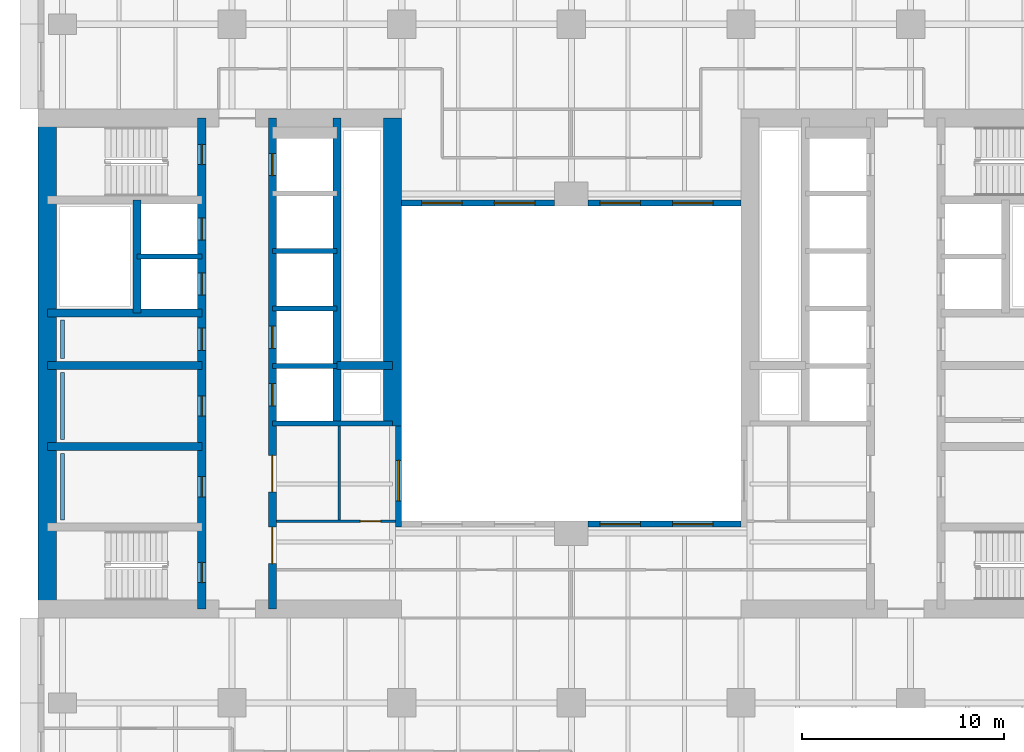
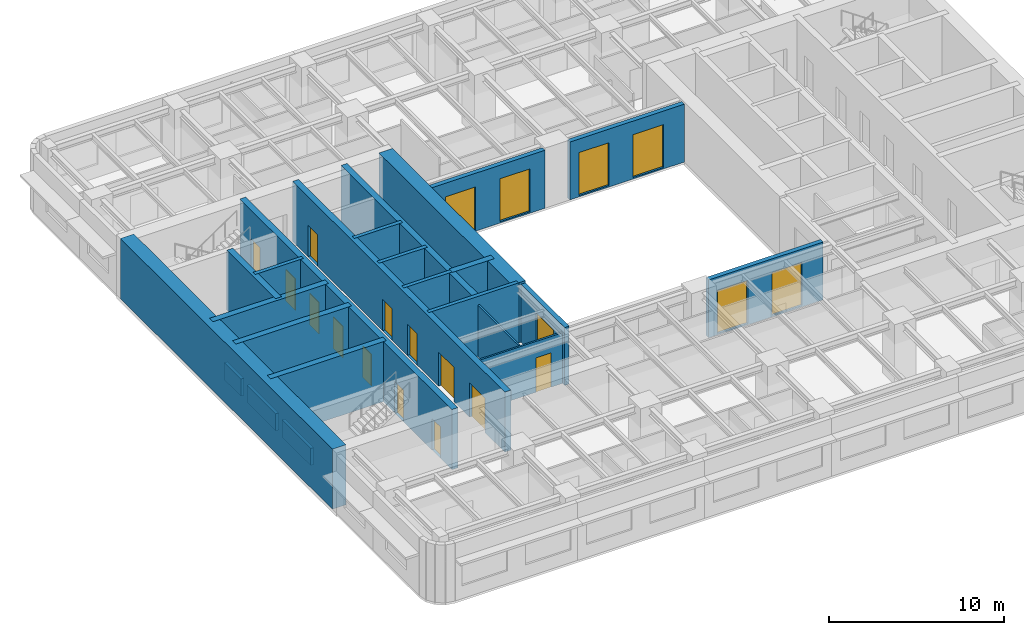
# One storey, part 4 of 11: 24 walls, 13 doors, 7 windows, 20 openings.
"""IFC4 building model written with IfcOpenShell, lengths in metres."""

from ifc_helpers import new_model, si_unit, direction, frame, frame_2d, origin, place, context, subcontext, project, spatial, rectangle, extrude, material, layer, layer_set, type_object, element, fill, save


model = new_model("IFC4")

# Units and contexts
model_context = context("Model", 3, precision=1e-05, world=origin(), true_north=direction((0.0, 1.0)))
body_context = subcontext(model_context, "Body", "Model", "MODEL_VIEW")
ifc_project = project(units=[si_unit("LENGTHUNIT", "METRE"), si_unit("AREAUNIT", "SQUARE_METRE"), si_unit("VOLUMEUNIT", "CUBIC_METRE"), si_unit("PLANEANGLEUNIT", "RADIAN"), si_unit("MASSUNIT", "GRAM", prefix="KILO")], contexts=[model_context])

# Site, building, storey
site_placement = place(None, origin())
site = spatial("IfcSite", under=ifc_project, at=site_placement, CompositionType="ELEMENT")
building_placement = place(site_placement, origin())
building = spatial("IfcBuilding", under=site, at=building_placement, Name="Claustro Exchange Tower", CompositionType="ELEMENT")
storey_placement = place(building_placement, frame((0.0, 0.0, 117.60009765625)))
storey = spatial("IfcBuildingStorey", under=building, at=storey_placement, Name="L26", CompositionType="ELEMENT", Elevation=117.60009765625)

# Wall, opening, door
ifc_material_1 = material(Name="Laminated glass in aluminium frame", Category="aluminium")
ifc_layer_1 = layer(ifc_material_1, 0.1201171875)
ifc_layer_set_1 = layer_set([ifc_layer_1], Name="Laminated glass in aluminium frame")
wall_type_1 = type_object("IfcWallType", Name="P2 120 glazed partition", PredefinedType="PARTITIONING", material=ifc_layer_set_1)
wall_1_placement = place(storey_placement, frame((10.597900390625, 17.39990234375, 0.0), z_axis=(0.0, 0.0, 1.0), x_axis=(1.0, 0.0, 0.0)))
wall_1 = element("IfcWall", 1, at=wall_1_placement, inside=storey, type_object=wall_type_1, Name="Partition P2 L26", PredefinedType="PARTITIONING", context=body_context, shape_type="SweptSolid", body=[
    extrude(rectangle(XDim=5.904052734375, YDim=0.1201171875, at=frame_2d((2.9521484375, 0.0))), origin(), (0.0, 0.0, 1.0), 3.5498046875),
])
opening_1_placement = place(wall_1_placement, frame((4.152099609375, 0.0, 0.0)))
opening_1 = element("IfcOpeningElement", 2, at=opening_1_placement, cuts=wall_1, Name="Opening D7", PredefinedType="OPENING", context=body_context, shape_type="SweptSolid", body=[
    extrude(rectangle(XDim=1.0, YDim=2.39990234375, at=frame_2d((0.5, 1.199951171875))), frame((0.0, 0.070068359375, 0.0), z_axis=(0.0, -1.0, 0.0), x_axis=(1.0, 0.0, 0.0)), (0.0, 0.0, 1.0), 0.14013671875),
])
ifc_material_2 = material(Name="Glass door in aluminium frame", Category="aluminium")
door_type_1 = type_object("IfcDoorType", Name="D7 1000 x 2400 glazed door", OperationType="SINGLE_SWING_LEFT", PredefinedType="DOOR", material=ifc_material_2)
door_1_placement = place(opening_1_placement, origin())
door_1 = element("IfcDoor", 3, at=door_1_placement, inside=storey, type_object=door_type_1, Name="Door D7 L26", OperationType="SINGLE_SWING_RIGHT", OverallHeight=2.39990234375, OverallWidth=1.0, PredefinedType="DOOR", context=body_context, shape_type="SweptSolid", body=[
    extrude(rectangle(XDim=1.0, YDim=2.39990234375, at=frame_2d((0.5, 1.199951171875))), frame((0.0, 0.02490234375, 0.0), z_axis=(0.0, -1.0, 0.0), x_axis=(1.0, 0.0, 0.0)), (0.0, 0.0, 1.0), 0.050048828125),
])
fill(opening_1, door_1)

# Wall
wall_2_placement = place(storey_placement, frame((13.699951171875, 17.4580078125, 0.0), z_axis=(0.0, 0.0, 1.0), x_axis=(0.0, 1.0, 0.0)))
element("IfcWall", 4, at=wall_2_placement, inside=storey, type_object=wall_type_1, Name="Partition P2 L26", PredefinedType="PARTITIONING", context=body_context, shape_type="SweptSolid", body=[
    extrude(rectangle(XDim=4.64404296875, YDim=0.1201171875, at=frame_2d((2.322021484375, 0.0))), origin(), (0.0, 0.0, 1.0), 3.599853515625),
])

# Wall, opening, window
ifc_material_3 = material(Name="Concrete HA-40 (C40/50), precast, white cement, acid-etched", Category="concrete")
ifc_layer_2 = layer(ifc_material_3, 0.300048828125)
ifc_layer_set_2 = layer_set([ifc_layer_2], Name="Concrete HA-40 (C40/50), precast, white cement, acid-etched")
wall_type_2 = type_object("IfcWallType", Name="PC1 300 precast concrete pier panel", PredefinedType="SOLIDWALL", material=ifc_layer_set_2)
wall_3_placement = place(storey_placement, frame((16.64990234375, 17.10009765625, 0.0), z_axis=(0.0, 0.0, 1.0), x_axis=(0.0, 1.0, 0.0)))
wall_3 = element("IfcWall", 5, at=wall_3_placement, inside=storey, type_object=wall_type_2, Name="Precast pier panel PC1 L26", PredefinedType="SOLIDWALL", context=body_context, shape_type="SweptSolid", body=[
    extrude(rectangle(XDim=5.0, YDim=0.300048828125, at=frame_2d((2.5, 0.0))), origin(), (0.0, 0.0, 1.0), 4.0498046875),
])
opening_2_placement = place(wall_3_placement, frame((1.300048828125, 0.0, 0.10009765625)))
opening_2 = element("IfcOpeningElement", 6, at=opening_2_placement, cuts=wall_3, Name="Opening W-A", PredefinedType="OPENING", context=body_context, shape_type="SweptSolid", body=[
    extrude(rectangle(XDim=2.0, YDim=3.0, at=frame_2d((1.0, 1.5))), frame((0.0, 0.159912109375, 0.0), z_axis=(0.0, -1.0, 0.0), x_axis=(1.0, 0.0, 0.0)), (0.0, 0.0, 1.0), 0.320068359375),
])
ifc_material_4 = material(Name="Aluminium frame, clear double glazing", Category="aluminium")
window_type = type_object("IfcWindowType", Name="W-A 2000 x 3000 arcade window", PartitioningType="SINGLE_PANEL", PredefinedType="WINDOW", material=ifc_material_4)
window_1_placement = place(opening_2_placement, origin())
window_1 = element("IfcWindow", 7, at=window_1_placement, inside=storey, type_object=window_type, Name="Window W-A L26", OverallHeight=3.0, OverallWidth=2.0, PartitioningType="SINGLE_PANEL", PredefinedType="WINDOW", context=body_context, shape_type="SweptSolid", body=[
    extrude(rectangle(XDim=2.0, YDim=3.0, at=frame_2d((1.0, 1.5))), frame((0.0, 0.030029296875, 0.0), z_axis=(0.0, -1.0, 0.0), x_axis=(1.0, 0.0, 0.0)), (0.0, 0.0, 1.0), 0.06005859375),
])
fill(opening_2, window_1)

# Wall, openings, windows
wall_4_placement = place(storey_placement, frame((26.02490234375, 17.25, 0.0), z_axis=(0.0, 0.0, 1.0), x_axis=(1.0, 0.0, 0.0)))
wall_4 = element("IfcWall", 8, at=wall_4_placement, inside=storey, type_object=wall_type_2, Name="Precast pier panel PC1 L26", PredefinedType="SOLIDWALL", context=body_context, shape_type="SweptSolid", body=[
    extrude(rectangle(XDim=7.5751953125, YDim=0.300048828125, at=frame_2d((3.78759765625, 0.0))), origin(), (0.0, 0.0, 1.0), 4.0498046875),
])
opening_3_placement = place(wall_4_placement, frame((0.58740234375, 0.0, 0.10009765625)))
opening_3 = element("IfcOpeningElement", 9, at=opening_3_placement, cuts=wall_4, Name="Opening W-A", PredefinedType="OPENING", context=body_context, shape_type="SweptSolid", body=[
    extrude(rectangle(XDim=2.0, YDim=3.0, at=frame_2d((1.0, 1.5))), frame((0.0, 0.159912109375, 0.0), z_axis=(0.0, -1.0, 0.0), x_axis=(1.0, 0.0, 0.0)), (0.0, 0.0, 1.0), 0.320068359375),
])
opening_4_placement = place(wall_4_placement, frame((4.1875, 0.0, 0.10009765625)))
opening_4 = element("IfcOpeningElement", 10, at=opening_4_placement, cuts=wall_4, Name="Opening W-A", PredefinedType="OPENING", context=body_context, shape_type="SweptSolid", body=[
    extrude(rectangle(XDim=2.0, YDim=3.0, at=frame_2d((1.0, 1.5))), frame((0.0, 0.159912109375, 0.0), z_axis=(0.0, -1.0, 0.0), x_axis=(1.0, 0.0, 0.0)), (0.0, 0.0, 1.0), 0.320068359375),
])
window_2_placement = place(opening_3_placement, origin())
window_2 = element("IfcWindow", 11, at=window_2_placement, inside=storey, type_object=window_type, Name="Window W-A L26", OverallHeight=3.0, OverallWidth=2.0, PartitioningType="SINGLE_PANEL", PredefinedType="WINDOW", context=body_context, shape_type="SweptSolid", body=[
    extrude(rectangle(XDim=2.0, YDim=3.0, at=frame_2d((1.0, 1.5))), frame((0.0, 0.030029296875, 0.0), z_axis=(0.0, -1.0, 0.0), x_axis=(1.0, 0.0, 0.0)), (0.0, 0.0, 1.0), 0.06005859375),
])
fill(opening_3, window_2)
window_3_placement = place(opening_4_placement, origin())
window_3 = element("IfcWindow", 12, at=window_3_placement, inside=storey, type_object=window_type, Name="Window W-A L26", OverallHeight=3.0, OverallWidth=2.0, PartitioningType="SINGLE_PANEL", PredefinedType="WINDOW", context=body_context, shape_type="SweptSolid", body=[
    extrude(rectangle(XDim=2.0, YDim=3.0, at=frame_2d((1.0, 1.5))), frame((0.0, 0.030029296875, 0.0), z_axis=(0.0, -1.0, 0.0), x_axis=(1.0, 0.0, 0.0)), (0.0, 0.0, 1.0), 0.06005859375),
])
fill(opening_4, window_3)

wall_5_placement = place(storey_placement, frame((16.800048828125, 33.14990234375, 0.0), z_axis=(0.0, 0.0, 1.0), x_axis=(1.0, 0.0, 0.0)))
wall_5 = element("IfcWall", 13, at=wall_5_placement, inside=storey, type_object=wall_type_2, Name="Precast pier panel PC1 L26", PredefinedType="SOLIDWALL", context=body_context, shape_type="SweptSolid", body=[
    extrude(rectangle(XDim=7.574951171875, YDim=0.300048828125, at=frame_2d((3.78759765625, 0.0))), origin(), (0.0, 0.0, 1.0), 4.0498046875),
])
opening_5_placement = place(wall_5_placement, frame((0.987548828125, 0.0, 0.10009765625)))
opening_5 = element("IfcOpeningElement", 14, at=opening_5_placement, cuts=wall_5, Name="Opening W-A", PredefinedType="OPENING", context=body_context, shape_type="SweptSolid", body=[
    extrude(rectangle(XDim=2.0, YDim=3.0, at=frame_2d((1.0, 1.5))), frame((0.0, 0.159912109375, 0.0), z_axis=(0.0, -1.0, 0.0), x_axis=(1.0, 0.0, 0.0)), (0.0, 0.0, 1.0), 0.320068359375),
])
opening_6_placement = place(wall_5_placement, frame((4.58740234375, 0.0, 0.10009765625)))
opening_6 = element("IfcOpeningElement", 15, at=opening_6_placement, cuts=wall_5, Name="Opening W-A", PredefinedType="OPENING", context=body_context, shape_type="SweptSolid", body=[
    extrude(rectangle(XDim=2.0, YDim=3.0, at=frame_2d((1.0, 1.5))), frame((0.0, 0.159912109375, 0.0), z_axis=(0.0, -1.0, 0.0), x_axis=(1.0, 0.0, 0.0)), (0.0, 0.0, 1.0), 0.320068359375),
])
window_4_placement = place(opening_5_placement, origin())
window_4 = element("IfcWindow", 16, at=window_4_placement, inside=storey, type_object=window_type, Name="Window W-A L26", OverallHeight=3.0, OverallWidth=2.0, PartitioningType="SINGLE_PANEL", PredefinedType="WINDOW", context=body_context, shape_type="SweptSolid", body=[
    extrude(rectangle(XDim=2.0, YDim=3.0, at=frame_2d((1.0, 1.5))), frame((0.0, 0.030029296875, 0.0), z_axis=(0.0, -1.0, 0.0), x_axis=(1.0, 0.0, 0.0)), (0.0, 0.0, 1.0), 0.06005859375),
])
fill(opening_5, window_4)
window_5_placement = place(opening_6_placement, origin())
window_5 = element("IfcWindow", 17, at=window_5_placement, inside=storey, type_object=window_type, Name="Window W-A L26", OverallHeight=3.0, OverallWidth=2.0, PartitioningType="SINGLE_PANEL", PredefinedType="WINDOW", context=body_context, shape_type="SweptSolid", body=[
    extrude(rectangle(XDim=2.0, YDim=3.0, at=frame_2d((1.0, 1.5))), frame((0.0, 0.030029296875, 0.0), z_axis=(0.0, -1.0, 0.0), x_axis=(1.0, 0.0, 0.0)), (0.0, 0.0, 1.0), 0.06005859375),
])
fill(opening_6, window_5)

wall_6_placement = place(storey_placement, frame((26.02490234375, 33.14990234375, 0.0), z_axis=(0.0, 0.0, 1.0), x_axis=(1.0, 0.0, 0.0)))
wall_6 = element("IfcWall", 18, at=wall_6_placement, inside=storey, type_object=wall_type_2, Name="Precast pier panel PC1 L26", PredefinedType="SOLIDWALL", context=body_context, shape_type="SweptSolid", body=[
    extrude(rectangle(XDim=7.5751953125, YDim=0.300048828125, at=frame_2d((3.78759765625, 0.0))), origin(), (0.0, 0.0, 1.0), 4.0498046875),
])
opening_7_placement = place(wall_6_placement, frame((0.58740234375, 0.0, 0.10009765625)))
opening_7 = element("IfcOpeningElement", 19, at=opening_7_placement, cuts=wall_6, Name="Opening W-A", PredefinedType="OPENING", context=body_context, shape_type="SweptSolid", body=[
    extrude(rectangle(XDim=2.0, YDim=3.0, at=frame_2d((1.0, 1.5))), frame((0.0, 0.159912109375, 0.0), z_axis=(0.0, -1.0, 0.0), x_axis=(1.0, 0.0, 0.0)), (0.0, 0.0, 1.0), 0.320068359375),
])
opening_8_placement = place(wall_6_placement, frame((4.1875, 0.0, 0.10009765625)))
opening_8 = element("IfcOpeningElement", 20, at=opening_8_placement, cuts=wall_6, Name="Opening W-A", PredefinedType="OPENING", context=body_context, shape_type="SweptSolid", body=[
    extrude(rectangle(XDim=2.0, YDim=3.0, at=frame_2d((1.0, 1.5))), frame((0.0, 0.159912109375, 0.0), z_axis=(0.0, -1.0, 0.0), x_axis=(1.0, 0.0, 0.0)), (0.0, 0.0, 1.0), 0.320068359375),
])
window_6_placement = place(opening_7_placement, origin())
window_6 = element("IfcWindow", 21, at=window_6_placement, inside=storey, type_object=window_type, Name="Window W-A L26", OverallHeight=3.0, OverallWidth=2.0, PartitioningType="SINGLE_PANEL", PredefinedType="WINDOW", context=body_context, shape_type="SweptSolid", body=[
    extrude(rectangle(XDim=2.0, YDim=3.0, at=frame_2d((1.0, 1.5))), frame((0.0, 0.030029296875, 0.0), z_axis=(0.0, -1.0, 0.0), x_axis=(1.0, 0.0, 0.0)), (0.0, 0.0, 1.0), 0.06005859375),
])
fill(opening_7, window_6)
window_7_placement = place(opening_8_placement, origin())
window_7 = element("IfcWindow", 22, at=window_7_placement, inside=storey, type_object=window_type, Name="Window W-A L26", OverallHeight=3.0, OverallWidth=2.0, PartitioningType="SINGLE_PANEL", PredefinedType="WINDOW", context=body_context, shape_type="SweptSolid", body=[
    extrude(rectangle(XDim=2.0, YDim=3.0, at=frame_2d((1.0, 1.5))), frame((0.0, 0.030029296875, 0.0), z_axis=(0.0, -1.0, 0.0), x_axis=(1.0, 0.0, 0.0)), (0.0, 0.0, 1.0), 0.06005859375),
])
fill(opening_8, window_7)

# Walls
ifc_material_5 = material(Name="Gypsum board on steel studs, tiled", Category="steel")
ifc_layer_3 = layer(ifc_material_5, 0.199951171875)
ifc_layer_set_3 = layer_set([ifc_layer_3], Name="Gypsum board on steel studs, tiled")
wall_type_3 = type_object("IfcWallType", Name="PW1 200 WC duct wall", PredefinedType="PLUMBINGWALL", material=ifc_layer_set_3)
for number, where, z_axis, x_axis, name in (
    (23, (0.0, 17.449951171875, 0.0), (0.0, 0.0, 1.0), (0.0, 1.0, 0.0), "WC duct wall PW1 L26"),
    (24, (0.0, 21.449951171875, 0.0), (0.0, 0.0, 1.0), (0.0, 1.0, 0.0), "WC duct wall PW1 L26"),
):
    element("IfcWall", number, at=place(storey_placement, frame(where, z_axis=z_axis, x_axis=x_axis)), inside=storey, type_object=wall_type_3, Name=name, PredefinedType="PLUMBINGWALL", context=body_context, shape_type="SweptSolid", body=[
        extrude(rectangle(XDim=3.300048828125, YDim=0.199951171875, at=frame_2d((1.64990234375, 0.0))), origin(), (0.0, 0.0, 1.0), 1.199951171875),
    ])
wall_7_placement = place(storey_placement, frame((0.0, 25.449951171875, 0.0), z_axis=(0.0, 0.0, 1.0), x_axis=(0.0, 1.0, 0.0)))
element("IfcWall", 25, at=wall_7_placement, inside=storey, type_object=wall_type_3, Name="WC duct wall PW1 L26", PredefinedType="PLUMBINGWALL", context=body_context, shape_type="SweptSolid", body=[
    extrude(rectangle(XDim=1.900146484375, YDim=0.199951171875, at=frame_2d((0.9501953125, 0.0))), origin(), (0.0, 0.0, 1.0), 1.199951171875),
])
ifc_material_6 = material(Name="Concrete HA-70 (C70/85)", Category="concrete")
ifc_layer_4 = layer(ifc_material_6, 0.89990234375)
ifc_layer_set_4 = layer_set([ifc_layer_4], Name="Concrete HA-70 (C70/85)")
wall_type_4 = type_object("IfcWallType", Name="SW1X 900 exposed core shear wall, board-marked face", PredefinedType="SHEAR", material=ifc_layer_set_4)
wall_8_placement = place(storey_placement, frame((-0.75, 13.050048828125, 0.0), z_axis=(0.0, 0.0, 1.0), x_axis=(0.0, 1.0, 0.0)))
element("IfcWall", 26, at=wall_8_placement, inside=storey, type_object=wall_type_4, Name="Core wall SW1X W core W face L26", PredefinedType="SHEAR", context=body_context, shape_type="SweptSolid", body=[
    extrude(rectangle(XDim=24.300048828125, YDim=0.89990234375, at=frame_2d((12.14990234375, 0.0))), origin(), (0.0, 0.0, 1.0), 4.199951171875),
])
wall_9_placement = place(storey_placement, frame((16.35009765625, 22.10009765625, 0.0), z_axis=(0.0, 0.0, 1.0), x_axis=(0.0, 1.0, 0.0)))
element("IfcWall", 27, at=wall_9_placement, inside=storey, type_object=wall_type_4, Name="Core wall SW1X W core E face L26", PredefinedType="SHEAR", context=body_context, shape_type="SweptSolid", body=[
    extrude(rectangle(XDim=15.25, YDim=0.89990234375, at=frame_2d((7.625, 0.0))), origin(), (0.0, 0.0, 1.0), 4.199951171875),
])

# Wall, openings, doors
ifc_material_7 = material(Name="Concrete HA-50 (C50/60)", Category="concrete")
ifc_layer_5 = layer(ifc_material_7, 0.39990234375)
ifc_layer_set_5 = layer_set([ifc_layer_5], Name="Concrete HA-50 (C50/60)")
wall_type_5 = type_object("IfcWallType", Name="SW4 400 internal core wall", PredefinedType="SHEAR", material=ifc_layer_set_5)
wall_10_placement = place(storey_placement, frame((6.89990234375, 13.050048828125, 0.0), z_axis=(0.0, 0.0, 1.0), x_axis=(0.0, 1.0, 0.0)))
wall_10 = element("IfcWall", 28, at=wall_10_placement, inside=storey, type_object=wall_type_5, Name="Internal core wall SW4 W core L26", PredefinedType="SHEAR", context=body_context, shape_type="SweptSolid", body=[
    extrude(rectangle(XDim=24.300048828125, YDim=0.39990234375, at=frame_2d((12.14990234375, 0.0))), origin(), (0.0, 0.0, 1.0), 4.199951171875),
])
opening_9_placement = place(wall_10_placement, frame((1.300048828125, 0.0, 0.0)))
opening_9 = element("IfcOpeningElement", 29, at=opening_9_placement, cuts=wall_10, Name="Opening D4", PredefinedType="OPENING", context=body_context, shape_type="SweptSolid", body=[
    extrude(rectangle(XDim=1.0, YDim=2.199951171875, at=frame_2d((0.5, 1.10009765625))), frame((0.0, 0.2099609375, 0.0), z_axis=(0.0, -1.0, 0.0), x_axis=(1.0, 0.0, 0.0)), (0.0, 0.0, 1.0), 0.419921875),
])
opening_10_placement = place(wall_10_placement, frame((22.0, 0.0, 0.0)))
opening_10 = element("IfcOpeningElement", 30, at=opening_10_placement, cuts=wall_10, Name="Opening D4", PredefinedType="OPENING", context=body_context, shape_type="SweptSolid", body=[
    extrude(rectangle(XDim=1.0, YDim=2.199951171875, at=frame_2d((0.5, 1.10009765625))), frame((0.0, 0.2099609375, 0.0), z_axis=(0.0, -1.0, 0.0), x_axis=(1.0, 0.0, 0.0)), (0.0, 0.0, 1.0), 0.419921875),
])
opening_11_placement = place(wall_10_placement, frame((5.550048828125, 0.0, 0.0)))
opening_11 = element("IfcOpeningElement", 31, at=opening_11_placement, cuts=wall_10, Name="Opening D1", PredefinedType="OPENING", context=body_context, shape_type="SweptSolid", body=[
    extrude(rectangle(XDim=1.0, YDim=2.199951171875, at=frame_2d((0.5, 1.10009765625))), frame((0.0, 0.2099609375, 0.0), z_axis=(0.0, -1.0, 0.0), x_axis=(1.0, 0.0, 0.0)), (0.0, 0.0, 1.0), 0.419921875),
])
opening_12_placement = place(wall_10_placement, frame((9.550048828125, 0.0, 0.0)))
opening_12 = element("IfcOpeningElement", 32, at=opening_12_placement, cuts=wall_10, Name="Opening D1", PredefinedType="OPENING", context=body_context, shape_type="SweptSolid", body=[
    extrude(rectangle(XDim=1.0, YDim=2.199951171875, at=frame_2d((0.5, 1.10009765625))), frame((0.0, 0.2099609375, 0.0), z_axis=(0.0, -1.0, 0.0), x_axis=(1.0, 0.0, 0.0)), (0.0, 0.0, 1.0), 0.419921875),
])
opening_13_placement = place(wall_10_placement, frame((12.800048828125, 0.0, 0.0)))
opening_13 = element("IfcOpeningElement", 33, at=opening_13_placement, cuts=wall_10, Name="Opening D10", PredefinedType="OPENING", context=body_context, shape_type="SweptSolid", body=[
    extrude(rectangle(XDim=1.10009765625, YDim=2.199951171875, at=frame_2d((0.550048828125, 1.10009765625))), frame((0.0, 0.2099609375, 0.0), z_axis=(0.0, -1.0, 0.0), x_axis=(1.0, 0.0, 0.0)), (0.0, 0.0, 1.0), 0.419921875),
])
opening_14_placement = place(wall_10_placement, frame((15.53759765625, 0.0, 0.0)))
opening_14 = element("IfcOpeningElement", 34, at=opening_14_placement, cuts=wall_10, Name="Opening LD", PredefinedType="OPENING", context=body_context, shape_type="SweptSolid", body=[
    extrude(rectangle(XDim=1.10009765625, YDim=2.199951171875, at=frame_2d((0.550048828125, 1.10009765625))), frame((0.0, 0.2099609375, 0.0), z_axis=(0.0, -1.0, 0.0), x_axis=(1.0, 0.0, 0.0)), (0.0, 0.0, 1.0), 0.419921875),
])
opening_15_placement = place(wall_10_placement, frame((18.262451171875, 0.0, 0.0)))
opening_15 = element("IfcOpeningElement", 35, at=opening_15_placement, cuts=wall_10, Name="Opening LD", PredefinedType="OPENING", context=body_context, shape_type="SweptSolid", body=[
    extrude(rectangle(XDim=1.10009765625, YDim=2.199951171875, at=frame_2d((0.550048828125, 1.10009765625))), frame((0.0, 0.2099609375, 0.0), z_axis=(0.0, -1.0, 0.0), x_axis=(1.0, 0.0, 0.0)), (0.0, 0.0, 1.0), 0.419921875),
])
ifc_material_8 = material(Name="Timber door, oak veneer", Category="wood")
door_type_2 = type_object("IfcDoorType", Name="D1 1000 x 2200 single door", OperationType="SINGLE_SWING_LEFT", PredefinedType="DOOR", material=ifc_material_8)
door_2_placement = place(opening_11_placement, origin())
door_2 = element("IfcDoor", 36, at=door_2_placement, inside=storey, type_object=door_type_2, Name="Door D1 L26", OperationType="SINGLE_SWING_RIGHT", OverallHeight=2.199951171875, OverallWidth=1.0, PredefinedType="DOOR", context=body_context, shape_type="SweptSolid", body=[
    extrude(rectangle(XDim=1.0, YDim=2.199951171875, at=frame_2d((0.5, 1.10009765625))), frame((0.0, 0.02490234375, 0.0), z_axis=(0.0, -1.0, 0.0), x_axis=(1.0, 0.0, 0.0)), (0.0, 0.0, 1.0), 0.050048828125),
])
fill(opening_11, door_2)
door_3_placement = place(opening_12_placement, origin())
door_3 = element("IfcDoor", 37, at=door_3_placement, inside=storey, type_object=door_type_2, Name="Door D1 L26", OperationType="SINGLE_SWING_RIGHT", OverallHeight=2.199951171875, OverallWidth=1.0, PredefinedType="DOOR", context=body_context, shape_type="SweptSolid", body=[
    extrude(rectangle(XDim=1.0, YDim=2.199951171875, at=frame_2d((0.5, 1.10009765625))), frame((0.0, 0.02490234375, 0.0), z_axis=(0.0, -1.0, 0.0), x_axis=(1.0, 0.0, 0.0)), (0.0, 0.0, 1.0), 0.050048828125),
])
fill(opening_12, door_3)
ifc_material_9 = material(Name="Timber door, oak veneer", Category="wood")
door_type_3 = type_object("IfcDoorType", Name="D10 1100 x 2200 accessible WC door", OperationType="SINGLE_SWING_LEFT", PredefinedType="DOOR", material=ifc_material_9)
door_4_placement = place(opening_13_placement, frame((1.10009765625, 0.0, 0.0), z_axis=(0.0, 0.0, 1.0), x_axis=(-1.0, 0.0, 0.0)))
door_4 = element("IfcDoor", 38, at=door_4_placement, inside=storey, type_object=door_type_3, Name="Accessible WC door D10 L26", OperationType="SINGLE_SWING_LEFT", OverallHeight=2.199951171875, OverallWidth=1.10009765625, PredefinedType="DOOR", context=body_context, shape_type="SweptSolid", body=[
    extrude(rectangle(XDim=1.10009765625, YDim=2.199951171875, at=frame_2d((0.550048828125, 1.10009765625))), frame((0.0, 0.02490234375, 0.0), z_axis=(0.0, -1.0, 0.0), x_axis=(1.0, 0.0, 0.0)), (0.0, 0.0, 1.0), 0.050048828125),
])
fill(opening_13, door_4)
ifc_material_10 = material(Name="Steel fire door, painted", Category="steel")
door_type_4 = type_object("IfcDoorType", Name="D4 1000 x 2200 fire-rated stair door", OperationType="SINGLE_SWING_LEFT", PredefinedType="DOOR", material=ifc_material_10)
door_5_placement = place(opening_9_placement, origin())
door_5 = element("IfcDoor", 39, at=door_5_placement, inside=storey, type_object=door_type_4, Name="Stair door D4 L26", OperationType="SINGLE_SWING_LEFT", OverallHeight=2.199951171875, OverallWidth=1.0, PredefinedType="DOOR", context=body_context, shape_type="SweptSolid", body=[
    extrude(rectangle(XDim=1.0, YDim=2.199951171875, at=frame_2d((0.5, 1.10009765625))), frame((0.0, 0.02490234375, 0.0), z_axis=(0.0, -1.0, 0.0), x_axis=(1.0, 0.0, 0.0)), (0.0, 0.0, 1.0), 0.050048828125),
])
fill(opening_9, door_5)
door_6_placement = place(opening_10_placement, origin())
door_6 = element("IfcDoor", 40, at=door_6_placement, inside=storey, type_object=door_type_4, Name="Stair door D4 L26", OperationType="SINGLE_SWING_RIGHT", OverallHeight=2.199951171875, OverallWidth=1.0, PredefinedType="DOOR", context=body_context, shape_type="SweptSolid", body=[
    extrude(rectangle(XDim=1.0, YDim=2.199951171875, at=frame_2d((0.5, 1.10009765625))), frame((0.0, 0.02490234375, 0.0), z_axis=(0.0, -1.0, 0.0), x_axis=(1.0, 0.0, 0.0)), (0.0, 0.0, 1.0), 0.050048828125),
])
fill(opening_10, door_6)
ifc_material_11 = material(Name="Stainless steel sliding door", Category="steel")
door_type_5 = type_object("IfcDoorType", Name="LD 1100 x 2200 lift landing door", OperationType="DOUBLE_DOOR_SLIDING", PredefinedType="DOOR", material=ifc_material_11)
door_7_placement = place(opening_14_placement, origin())
door_7 = element("IfcDoor", 41, at=door_7_placement, inside=storey, type_object=door_type_5, Name="Lift landing door LEW1 LD L26", OperationType="DOUBLE_DOOR_SLIDING", OverallHeight=2.199951171875, OverallWidth=1.10009765625, PredefinedType="DOOR", context=body_context, shape_type="SweptSolid", body=[
    extrude(rectangle(XDim=1.10009765625, YDim=2.199951171875, at=frame_2d((0.550048828125, 1.10009765625))), frame((0.0, 0.02490234375, 0.0), z_axis=(0.0, -1.0, 0.0), x_axis=(1.0, 0.0, 0.0)), (0.0, 0.0, 1.0), 0.050048828125),
])
fill(opening_14, door_7)
door_8_placement = place(opening_15_placement, origin())
door_8 = element("IfcDoor", 42, at=door_8_placement, inside=storey, type_object=door_type_5, Name="Lift landing door LEW2 LD L26", OperationType="DOUBLE_DOOR_SLIDING", OverallHeight=2.199951171875, OverallWidth=1.10009765625, PredefinedType="DOOR", context=body_context, shape_type="SweptSolid", body=[
    extrude(rectangle(XDim=1.10009765625, YDim=2.199951171875, at=frame_2d((0.550048828125, 1.10009765625))), frame((0.0, 0.02490234375, 0.0), z_axis=(0.0, -1.0, 0.0), x_axis=(1.0, 0.0, 0.0)), (0.0, 0.0, 1.0), 0.050048828125),
])
fill(opening_15, door_8)

wall_11_placement = place(storey_placement, frame((10.39990234375, 13.050048828125, 0.0), z_axis=(0.0, 0.0, 1.0), x_axis=(0.0, 1.0, 0.0)))
wall_11 = element("IfcWall", 43, at=wall_11_placement, inside=storey, type_object=wall_type_5, Name="Internal core wall SW4 W core L26", PredefinedType="SHEAR", context=body_context, shape_type="SweptSolid", body=[
    extrude(rectangle(XDim=24.300048828125, YDim=0.39990234375, at=frame_2d((12.14990234375, 0.0))), origin(), (0.0, 0.0, 1.0), 4.199951171875),
])
opening_16_placement = place(wall_11_placement, frame((10.050048828125, 0.0, 0.0)))
opening_16 = element("IfcOpeningElement", 44, at=opening_16_placement, cuts=wall_11, Name="Opening LD", PredefinedType="OPENING", context=body_context, shape_type="SweptSolid", body=[
    extrude(rectangle(XDim=1.10009765625, YDim=2.199951171875, at=frame_2d((0.550048828125, 1.10009765625))), frame((0.0, 0.2099609375, 0.0), z_axis=(0.0, -1.0, 0.0), x_axis=(1.0, 0.0, 0.0)), (0.0, 0.0, 1.0), 0.419921875),
])
opening_17_placement = place(wall_11_placement, frame((12.89990234375, 0.0, 0.0)))
opening_17 = element("IfcOpeningElement", 45, at=opening_17_placement, cuts=wall_11, Name="Opening LD", PredefinedType="OPENING", context=body_context, shape_type="SweptSolid", body=[
    extrude(rectangle(XDim=1.10009765625, YDim=2.199951171875, at=frame_2d((0.550048828125, 1.10009765625))), frame((0.0, 0.2099609375, 0.0), z_axis=(0.0, -1.0, 0.0), x_axis=(1.0, 0.0, 0.0)), (0.0, 0.0, 1.0), 0.419921875),
])
opening_18_placement = place(wall_11_placement, frame((21.449951171875, 0.0, 0.0)))
opening_18 = element("IfcOpeningElement", 46, at=opening_18_placement, cuts=wall_11, Name="Opening LD", PredefinedType="OPENING", context=body_context, shape_type="SweptSolid", body=[
    extrude(rectangle(XDim=1.10009765625, YDim=2.199951171875, at=frame_2d((0.550048828125, 1.10009765625))), frame((0.0, 0.2099609375, 0.0), z_axis=(0.0, -1.0, 0.0), x_axis=(1.0, 0.0, 0.0)), (0.0, 0.0, 1.0), 0.419921875),
])
opening_19_placement = place(wall_11_placement, frame((2.25, 0.0, 0.0)))
opening_19 = element("IfcOpeningElement", 47, at=opening_19_placement, cuts=wall_11, Name="Opening D3", PredefinedType="OPENING", context=body_context, shape_type="SweptSolid", body=[
    extrude(rectangle(XDim=1.800048828125, YDim=2.39990234375, at=frame_2d((0.89990234375, 1.199951171875))), frame((0.0, 0.2099609375, 0.0), z_axis=(0.0, -1.0, 0.0), x_axis=(1.0, 0.0, 0.0)), (0.0, 0.0, 1.0), 0.419921875),
])
opening_20_placement = place(wall_11_placement, frame((5.800048828125, 0.0, 0.0)))
opening_20 = element("IfcOpeningElement", 48, at=opening_20_placement, cuts=wall_11, Name="Opening D3", PredefinedType="OPENING", context=body_context, shape_type="SweptSolid", body=[
    extrude(rectangle(XDim=1.800048828125, YDim=2.39990234375, at=frame_2d((0.89990234375, 1.199951171875))), frame((0.0, 0.2099609375, 0.0), z_axis=(0.0, -1.0, 0.0), x_axis=(1.0, 0.0, 0.0)), (0.0, 0.0, 1.0), 0.419921875),
])
ifc_material_12 = material(Name="Steel fire door, painted", Category="steel")
door_type_6 = type_object("IfcDoorType", Name="D3 1800 x 2400 fire-rated lobby double door", OperationType="DOUBLE_DOOR_SINGLE_SWING", PredefinedType="DOOR", material=ifc_material_12)
door_9_placement = place(opening_19_placement, origin())
door_9 = element("IfcDoor", 49, at=door_9_placement, inside=storey, type_object=door_type_6, Name="Core zone door D3 L26", OperationType="DOUBLE_DOOR_SINGLE_SWING", OverallHeight=2.39990234375, OverallWidth=1.800048828125, PredefinedType="DOOR", context=body_context, shape_type="SweptSolid", body=[
    extrude(rectangle(XDim=1.800048828125, YDim=2.39990234375, at=frame_2d((0.89990234375, 1.199951171875))), frame((0.0, 0.02490234375, 0.0), z_axis=(0.0, -1.0, 0.0), x_axis=(1.0, 0.0, 0.0)), (0.0, 0.0, 1.0), 0.050048828125),
])
fill(opening_19, door_9)
door_10_placement = place(opening_20_placement, frame((1.800048828125, 0.0, 0.0), z_axis=(0.0, 0.0, 1.0), x_axis=(-1.0, 0.0, 0.0)))
door_10 = element("IfcDoor", 50, at=door_10_placement, inside=storey, type_object=door_type_6, Name="Core zone door D3 L26", OperationType="DOUBLE_DOOR_SINGLE_SWING", OverallHeight=2.39990234375, OverallWidth=1.800048828125, PredefinedType="DOOR", context=body_context, shape_type="SweptSolid", body=[
    extrude(rectangle(XDim=1.800048828125, YDim=2.39990234375, at=frame_2d((0.89990234375, 1.199951171875))), frame((0.0, 0.02490234375, 0.0), z_axis=(0.0, -1.0, 0.0), x_axis=(1.0, 0.0, 0.0)), (0.0, 0.0, 1.0), 0.050048828125),
])
fill(opening_20, door_10)
door_11_placement = place(opening_16_placement, origin())
door_11 = element("IfcDoor", 51, at=door_11_placement, inside=storey, type_object=door_type_5, Name="Lift landing door LMW1 LD L26", OperationType="DOUBLE_DOOR_SLIDING", OverallHeight=2.199951171875, OverallWidth=1.10009765625, PredefinedType="DOOR", context=body_context, shape_type="SweptSolid", body=[
    extrude(rectangle(XDim=1.10009765625, YDim=2.199951171875, at=frame_2d((0.550048828125, 1.10009765625))), frame((0.0, 0.02490234375, 0.0), z_axis=(0.0, -1.0, 0.0), x_axis=(1.0, 0.0, 0.0)), (0.0, 0.0, 1.0), 0.050048828125),
])
fill(opening_16, door_11)
door_12_placement = place(opening_17_placement, origin())
door_12 = element("IfcDoor", 52, at=door_12_placement, inside=storey, type_object=door_type_5, Name="Lift landing door LMW2 LD L26", OperationType="DOUBLE_DOOR_SLIDING", OverallHeight=2.199951171875, OverallWidth=1.10009765625, PredefinedType="DOOR", context=body_context, shape_type="SweptSolid", body=[
    extrude(rectangle(XDim=1.10009765625, YDim=2.199951171875, at=frame_2d((0.550048828125, 1.10009765625))), frame((0.0, 0.02490234375, 0.0), z_axis=(0.0, -1.0, 0.0), x_axis=(1.0, 0.0, 0.0)), (0.0, 0.0, 1.0), 0.050048828125),
])
fill(opening_17, door_12)
door_13_placement = place(opening_18_placement, origin())
door_13 = element("IfcDoor", 53, at=door_13_placement, inside=storey, type_object=door_type_5, Name="Lift landing door LSW1 LD L26", OperationType="DOUBLE_DOOR_SLIDING", OverallHeight=2.199951171875, OverallWidth=1.10009765625, PredefinedType="DOOR", context=body_context, shape_type="SweptSolid", body=[
    extrude(rectangle(XDim=1.10009765625, YDim=2.199951171875, at=frame_2d((0.550048828125, 1.10009765625))), frame((0.0, 0.02490234375, 0.0), z_axis=(0.0, -1.0, 0.0), x_axis=(1.0, 0.0, 0.0)), (0.0, 0.0, 1.0), 0.050048828125),
])
fill(opening_18, door_13)

# Walls
wall_12_placement = place(storey_placement, frame((13.60009765625, 22.22509765625, 0.0), z_axis=(0.0, 0.0, 1.0), x_axis=(0.0, 1.0, 0.0)))
element("IfcWall", 54, at=wall_12_placement, inside=storey, type_object=wall_type_5, Name="Internal core wall SW4 W core L26", PredefinedType="SHEAR", context=body_context, shape_type="SweptSolid", body=[
    extrude(rectangle(XDim=15.125, YDim=0.39990234375, at=frame_2d((7.5625, 0.0))), origin(), (0.0, 0.0, 1.0), 4.199951171875),
])
for number, where, z_axis, x_axis, name in (
    (55, (-0.75, 21.10009765625, 0.0), (0.0, 0.0, 1.0), (1.0, 0.0, 0.0), "Internal core wall SW4 W core L26"),
    (56, (-0.75, 25.10009765625, 0.0), (0.0, 0.0, 1.0), (1.0, 0.0, 0.0), "Internal core wall SW4 W core L26"),
    (57, (-0.75, 27.699951171875, 0.0), (0.0, 0.0, 1.0), (1.0, 0.0, 0.0), "Internal core wall SW4 W core L26"),
):
    element("IfcWall", number, at=place(storey_placement, frame(where, z_axis=z_axis, x_axis=x_axis)), inside=storey, type_object=wall_type_5, Name=name, PredefinedType="SHEAR", context=body_context, shape_type="SweptSolid", body=[
        extrude(rectangle(XDim=7.64990234375, YDim=0.39990234375, at=frame_2d((3.824951171875, 0.0))), origin(), (0.0, 0.0, 1.0), 4.199951171875),
    ])
wall_13_placement = place(storey_placement, frame((3.699951171875, 27.699951171875, 0.0), z_axis=(0.0, 0.0, 1.0), x_axis=(0.0, 1.0, 0.0)))
element("IfcWall", 58, at=wall_13_placement, inside=storey, type_object=wall_type_5, Name="Internal core wall SW4 W core L26", PredefinedType="SHEAR", context=body_context, shape_type="SweptSolid", body=[
    extrude(rectangle(XDim=5.60009765625, YDim=0.39990234375, at=frame_2d((2.800048828125, 0.0))), origin(), (0.0, 0.0, 1.0), 4.199951171875),
])
wall_14_placement = place(storey_placement, frame((13.60009765625, 25.10009765625, 0.0), z_axis=(0.0, 0.0, 1.0), x_axis=(1.0, 0.0, 0.0)))
element("IfcWall", 59, at=wall_14_placement, inside=storey, type_object=wall_type_5, Name="Internal core wall SW4 W core L26", PredefinedType="SHEAR", context=body_context, shape_type="SweptSolid", body=[
    extrude(rectangle(XDim=2.75, YDim=0.39990234375, at=frame_2d((1.375, 0.0))), origin(), (0.0, 0.0, 1.0), 4.199951171875),
])
ifc_material_13 = material(Name="Concrete HA-50 (C50/60)", Category="concrete")
ifc_layer_6 = layer(ifc_material_13, 0.25)
ifc_layer_set_6 = layer_set([ifc_layer_6], Name="Concrete HA-50 (C50/60)")
wall_type_6 = type_object("IfcWallType", Name="SW5 250 lift shaft divider wall", PredefinedType="SHEAR", material=ifc_layer_set_6)
wall_15_placement = place(storey_placement, frame((3.699951171875, 30.5, 0.0), z_axis=(0.0, 0.0, 1.0), x_axis=(1.0, 0.0, 0.0)))
element("IfcWall", 60, at=wall_15_placement, inside=storey, type_object=wall_type_6, Name="Lift shaft wall W core L26", PredefinedType="SHEAR", context=body_context, shape_type="SweptSolid", body=[
    extrude(rectangle(XDim=3.199951171875, YDim=0.25, at=frame_2d((1.60009765625, 0.0))), origin(), (0.0, 0.0, 1.0), 4.199951171875),
])
wall_16_placement = place(storey_placement, frame((10.39990234375, 22.22509765625, 0.0), z_axis=(0.0, 0.0, 1.0), x_axis=(1.0, 0.0, 0.0)))
element("IfcWall", 61, at=wall_16_placement, inside=storey, type_object=wall_type_6, Name="Core step wall W core L26", PredefinedType="SHEAR", context=body_context, shape_type="SweptSolid", body=[
    extrude(rectangle(XDim=5.9501953125, YDim=0.25, at=frame_2d((2.97509765625, 0.0))), origin(), (0.0, 0.0, 1.0), 4.199951171875),
])
for number, where, z_axis, x_axis, name in (
    (62, (10.39990234375, 25.074951171875, 0.0), (0.0, 0.0, 1.0), (1.0, 0.0, 0.0), "Lift shaft wall W core L26"),
    (63, (10.39990234375, 27.925048828125, 0.0), (0.0, 0.0, 1.0), (1.0, 0.0, 0.0), "Lift shaft wall W core L26"),
    (64, (10.39990234375, 30.77490234375, 0.0), (0.0, 0.0, 1.0), (1.0, 0.0, 0.0), "Lift shaft wall W core L26"),
):
    element("IfcWall", number, at=place(storey_placement, frame(where, z_axis=z_axis, x_axis=x_axis)), inside=storey, type_object=wall_type_6, Name=name, PredefinedType="SHEAR", context=body_context, shape_type="SweptSolid", body=[
        extrude(rectangle(XDim=3.2001953125, YDim=0.25, at=frame_2d((1.60009765625, 0.0))), origin(), (0.0, 0.0, 1.0), 4.199951171875),
    ])

save(model, "model.ifc")
